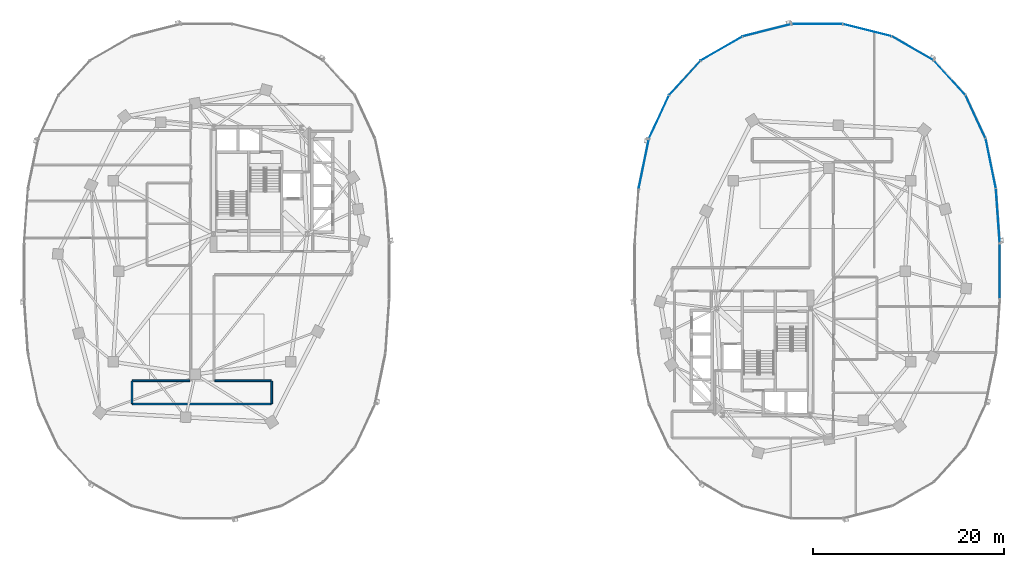
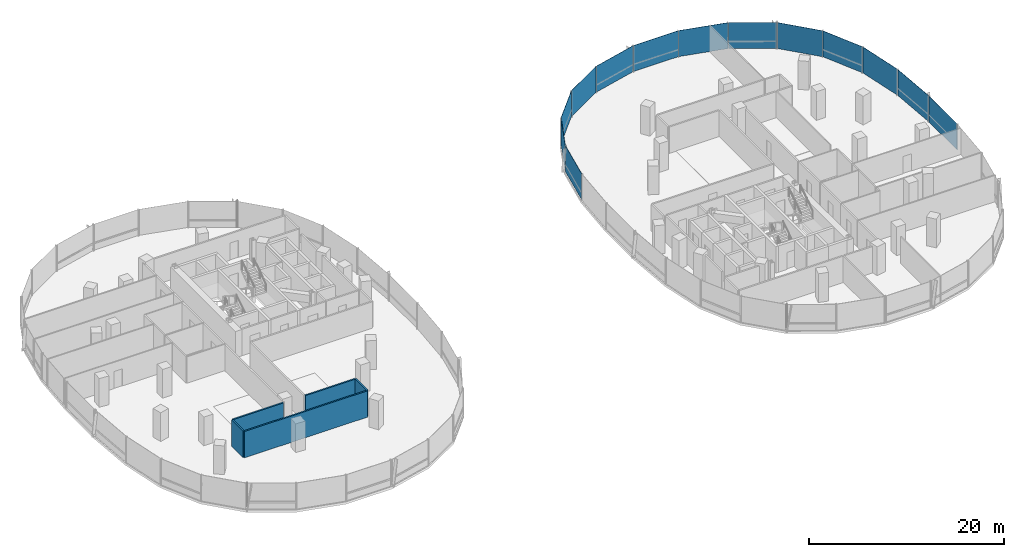
# One storey, part 10 of 21: 13 plates, 5 walls, 3 elements without a shape of their own.
"""IFC4 building model written with IfcOpenShell, lengths in metres."""

from ifc_helpers import new_model, si_unit, direction, frame, frame_2d, origin, origin_2d, place, context, subcontext, project, spatial, rectangle, extrude, material, layer, layer_set, type_object, element, aggregate, save


model = new_model("IFC4")

# Units and contexts
model_context = context("Model", 3, precision=1e-05, world=origin(), true_north=direction((0.0, 1.0)))
body_context = subcontext(model_context, "Body", "Model", "MODEL_VIEW")
ifc_project = project(units=[si_unit("LENGTHUNIT", "METRE"), si_unit("AREAUNIT", "SQUARE_METRE"), si_unit("VOLUMEUNIT", "CUBIC_METRE"), si_unit("PLANEANGLEUNIT", "RADIAN"), si_unit("MASSUNIT", "GRAM", prefix="KILO"), si_unit("THERMODYNAMICTEMPERATUREUNIT", "KELVIN"), si_unit("POWERUNIT", "WATT")], contexts=[model_context])

# Site, building, storey
site_placement = place(None, origin())
site = spatial("IfcSite", under=ifc_project, at=site_placement, CompositionType="ELEMENT")
building_placement = place(site_placement, origin())
building = spatial("IfcBuilding", under=site, at=building_placement, Name="Cundina Bronze Exchange", CompositionType="ELEMENT")
storey_placement = place(building_placement, frame((0.0, 0.0, 81.800048828125)))
storey = spatial("IfcBuildingStorey", under=building, at=storey_placement, Name="L20", CompositionType="ELEMENT", Elevation=81.800048828125)

# Curtain wall, plates
ifc_material_1 = material(Name="Anodised Bronze Aluminium 6063-T6", Category="aluminium")
curtain_wall_type = type_object("IfcCurtainWallType", Name="CWS-TRD-MID", PredefinedType="NOTDEFINED", material=ifc_material_1)
curtain_wall_1_placement = place(storey_placement, origin())
curtain_wall_1 = element("IfcCurtainWall", 1, at=curtain_wall_1_placement, inside=storey, type_object=curtain_wall_type, Name="L20 CW-03 Curtain Wall Run CWR-L20-E1", PredefinedType="NOTDEFINED")
ifc_material_2 = material(Name="Heat-Strengthened Solar-Control Bronze Safety Glass 28mm", Category="glass")
ifc_layer_1 = layer(ifc_material_2, 0.028076171875, Name="Heat-Strengthened Solar-Control Bronze Safety Glass 28mm", Category="glass")
ifc_layer_set_1 = layer_set([ifc_layer_1], Name="Heat-Strengthened Solar-Control Bronze Safety Glass 28mm")
plate_type_1 = type_object("IfcPlateType", Name="PLT-GLZ-VIS28", PredefinedType="CURTAIN_PANEL", material=ifc_layer_set_1)
plate_1_placement = place(storey_placement, frame((50.9267578125, 5.783935546875, 0.02001953125), z_axis=(0.0, 0.0, 1.0), x_axis=(-0.070278787473, 0.997527389113, 0.0)))
plate_1 = element("IfcPlate", 2, at=plate_1_placement, type_object=plate_type_1, Name="CW-03 Glazed Panel 1", PredefinedType="CURTAIN_PANEL", context=body_context, shape_type="SweptSolid", body=[
    extrude(rectangle(XDim=5.644287109375, YDim=0.028076171875, at=origin_2d()), origin(), (0.0, 0.0, 1.0), 3.260009765625),
])
plate_2_placement = place(storey_placement, frame((50.18408203125, 11.269775390625, 0.02001953125), z_axis=(0.0, 0.0, 1.0), x_axis=(-0.201419845156, 0.979505000486, 0.0)))
plate_2 = element("IfcPlate", 3, at=plate_2_placement, type_object=plate_type_1, Name="CW-03 Glazed Panel 2", PredefinedType="CURTAIN_PANEL", context=body_context, shape_type="SweptSolid", body=[
    extrude(rectangle(XDim=5.306640625, YDim=0.028076171875, at=origin_2d()), origin(), (0.0, 0.0, 1.0), 3.260009765625),
])
plate_3_placement = place(storey_placement, frame((48.586181640625, 16.177734375, 0.02001953125), z_axis=(0.0, 0.0, 1.0), x_axis=(-0.42084583328, 0.907132175932, 0.0)))
plate_3 = element("IfcPlate", 4, at=plate_3_placement, type_object=plate_type_1, Name="CW-03 Glazed Panel 3", PredefinedType="CURTAIN_PANEL", context=body_context, shape_type="SweptSolid", body=[
    extrude(rectangle(XDim=4.966552734375, YDim=0.028076171875, at=origin_2d()), origin(), (0.0, 0.0, 1.0), 3.260009765625),
])
plate_4_placement = place(storey_placement, frame((45.8740234375, 20.267333984375, 0.02001953125), z_axis=(0.0, 0.0, 1.0), x_axis=(-0.674276610219, 0.73847887777, 0.0)))
plate_4 = element("IfcPlate", 5, at=plate_4_placement, type_object=plate_type_1, Name="CW-03 Glazed Panel 4", PredefinedType="CURTAIN_PANEL", context=body_context, shape_type="SweptSolid", body=[
    extrude(rectangle(XDim=4.86328125, YDim=0.028076171875, at=origin_2d()), origin(), (0.0, 0.0, 1.0), 3.260009765625),
])
plate_5_placement = place(storey_placement, frame((37.255615234375, 25.256591796875, 0.02001953125), z_axis=(0.0, 0.0, 1.0), x_axis=(-0.969488149345, 0.245138182011, 0.0)))
plate_5 = element("IfcPlate", 6, at=plate_5_placement, type_object=plate_type_1, Name="CW-03 Glazed Panel 6", PredefinedType="CURTAIN_PANEL", context=body_context, shape_type="SweptSolid", body=[
    extrude(rectangle(XDim=5.2333984375, YDim=0.028076171875, at=origin_2d()), origin(), (0.0, 0.0, 1.0), 3.260009765625),
])
plate_6_placement = place(storey_placement, frame((32.0, 25.905029296875, 0.02001953125), z_axis=(0.0, 0.0, 1.0), x_axis=(-1.0, 0.0, 0.0)))
plate_6 = element("IfcPlate", 7, at=plate_6_placement, type_object=plate_type_1, Name="CW-03 Glazed Panel 7", PredefinedType="CURTAIN_PANEL", context=body_context, shape_type="SweptSolid", body=[
    extrude(rectangle(XDim=5.323974609375, YDim=0.028076171875, at=origin_2d()), origin(), (0.0, 0.0, 1.0), 3.260009765625),
])

curtain_wall_2_placement = place(storey_placement, origin())
curtain_wall_2 = element("IfcCurtainWall", 8, at=curtain_wall_2_placement, inside=storey, type_object=curtain_wall_type, Name="L20 CW-03 Curtain Wall Run CWR-L20-E2", PredefinedType="NOTDEFINED")
plate_7_placement = place(storey_placement, frame((26.744384765625, 25.256591796875, 0.02001953125), z_axis=(0.0, 0.0, 1.0), x_axis=(-0.969488149345, -0.245138182011, 0.0)))
plate_7 = element("IfcPlate", 9, at=plate_7_placement, type_object=plate_type_1, Name="CW-03 Glazed Panel 1", PredefinedType="CURTAIN_PANEL", context=body_context, shape_type="SweptSolid", body=[
    extrude(rectangle(XDim=5.2333984375, YDim=0.028076171875, at=origin_2d()), origin(), (0.0, 0.0, 1.0), 3.260009765625),
])
plate_8_placement = place(storey_placement, frame((21.980712890625, 23.34423828125, 0.02001953125), z_axis=(0.0, 0.0, 1.0), x_axis=(-0.867105478933, -0.498124571171, 0.0)))
plate_8 = element("IfcPlate", 10, at=plate_8_placement, type_object=plate_type_1, Name="CW-03 Glazed Panel 2", PredefinedType="CURTAIN_PANEL", context=body_context, shape_type="SweptSolid", body=[
    extrude(rectangle(XDim=5.021240234375, YDim=0.028076171875, at=origin_2d()), origin(), (0.0, 0.0, 1.0), 3.260009765625),
])
plate_9_placement = place(storey_placement, frame((18.1259765625, 20.267333984375, 0.02001953125), z_axis=(0.0, 0.0, 1.0), x_axis=(-0.674276610219, -0.73847887777, 0.0)))
plate_9 = element("IfcPlate", 11, at=plate_9_placement, type_object=plate_type_1, Name="CW-03 Glazed Panel 3", PredefinedType="CURTAIN_PANEL", context=body_context, shape_type="SweptSolid", body=[
    extrude(rectangle(XDim=4.86328125, YDim=0.028076171875, at=origin_2d()), origin(), (0.0, 0.0, 1.0), 3.260009765625),
])
plate_10_placement = place(storey_placement, frame((13.81591796875, 11.269775390625, 0.02001953125), z_axis=(0.0, 0.0, 1.0), x_axis=(-0.201419845156, -0.979505000486, 0.0)))
plate_10 = element("IfcPlate", 12, at=plate_10_placement, type_object=plate_type_1, Name="CW-03 Glazed Panel 5", PredefinedType="CURTAIN_PANEL", context=body_context, shape_type="SweptSolid", body=[
    extrude(rectangle(XDim=5.306640625, YDim=0.028076171875, at=origin_2d()), origin(), (0.0, 0.0, 1.0), 3.260009765625),
])

# Plate
ifc_material_3 = material(Name="Dark Bronze Spandrel Glass Panel 32mm", Category="glass")
ifc_layer_2 = layer(ifc_material_3, 0.031982421875, Name="Dark Bronze Spandrel Glass Panel 32mm", Category="glass")
ifc_layer_set_2 = layer_set([ifc_layer_2], Name="Dark Bronze Spandrel Glass Panel 32mm")
plate_type_2 = type_object("IfcPlateType", Name="PLT-SPN-BRZ32", PredefinedType="CURTAIN_PANEL", material=ifc_layer_set_2)
plate_11_placement = place(storey_placement, frame((42.019287109375, 23.34423828125, 0.02001953125), z_axis=(0.0, 0.0, 1.0), x_axis=(-0.867105478933, 0.498124571171, 0.0)))
plate_11 = element("IfcPlate", 13, at=plate_11_placement, type_object=plate_type_2, Name="CW-03 Glazed Panel 5", PredefinedType="CURTAIN_PANEL", context=body_context, shape_type="SweptSolid", body=[
    extrude(rectangle(XDim=5.021240234375, YDim=0.031982421875, at=origin_2d()), origin(), (0.0, 0.0, 1.0), 3.260009765625),
])

aggregate(curtain_wall_1, [plate_1, plate_2, plate_3, plate_4, plate_11, plate_5, plate_6])

plate_12_placement = place(storey_placement, frame((15.413818359375, 16.177734375, 0.02001953125), z_axis=(0.0, 0.0, 1.0), x_axis=(-0.42084583328, -0.907132175932, 0.0)))
plate_12 = element("IfcPlate", 14, at=plate_12_placement, type_object=plate_type_2, Name="CW-03 Glazed Panel 4", PredefinedType="CURTAIN_PANEL", context=body_context, shape_type="SweptSolid", body=[
    extrude(rectangle(XDim=4.966552734375, YDim=0.031982421875, at=origin_2d()), origin(), (0.0, 0.0, 1.0), 3.260009765625),
])

aggregate(curtain_wall_2, [plate_7, plate_8, plate_9, plate_12, plate_10])

# Curtain wall, plate
curtain_wall_3_placement = place(storey_placement, origin())
curtain_wall_3 = element("IfcCurtainWall", 15, at=curtain_wall_3_placement, inside=storey, type_object=curtain_wall_type, Name="L20 CW-03 Curtain Wall Run CWR-L20-E4", PredefinedType="NOTDEFINED")
plate_13_placement = place(storey_placement, frame((51.1279296875, 0.0, 0.02001953125), z_axis=(0.0, 0.0, 1.0), x_axis=(0.0, 1.0, 0.0)))
plate_13 = element("IfcPlate", 16, at=plate_13_placement, type_object=plate_type_2, Name="CW-03 Glazed Panel 7", PredefinedType="CURTAIN_PANEL", context=body_context, shape_type="SweptSolid", body=[
    extrude(rectangle(XDim=5.77587890625, YDim=0.031982421875, at=origin_2d()), origin(), (0.0, 0.0, 1.0), 3.260009765625),
])
aggregate(curtain_wall_3, [plate_13])

# Walls
ifc_material_4 = material(Name="Gypsum Fireboard Partition EI120")
ifc_layer_3 = layer(ifc_material_4, 0.179931640625, Name="Gypsum Fireboard Partition EI120")
ifc_layer_set_3 = layer_set([ifc_layer_3], Name="Gypsum Fireboard Partition EI120")
wall_type = type_object("IfcWallType", Name="WL-COR-180", PredefinedType="PARTITIONING", material=ifc_layer_set_3)
wall_1_placement = place(storey_placement, frame((-39.778564453125, -13.919921875, 0.0), z_axis=(0.0, 0.0, 1.0), x_axis=(1.0, 0.0, 0.0)))
element("IfcWall", 17, at=wall_1_placement, inside=storey, type_object=wall_type, Name="L20 Interior Partition 019", PredefinedType="PARTITIONING", context=body_context, shape_type="SweptSolid", body=[
    extrude(rectangle(XDim=14.55712890625, YDim=0.179931640625, at=frame_2d((7.278564453125, 0.0))), origin(), (0.0, 0.0, 1.0), 3.300048828125),
])
wall_2_placement = place(storey_placement, frame((-33.75, -11.47998046875, 0.0), z_axis=(0.0, 0.0, 1.0), x_axis=(-1.0, 0.0, 0.0)))
element("IfcWall", 18, at=wall_2_placement, inside=storey, type_object=wall_type, Name="L20 Interior Partition 023", PredefinedType="PARTITIONING", context=body_context, shape_type="SweptSolid", body=[
    extrude(rectangle(XDim=6.028564453125, YDim=0.179931640625, at=frame_2d((3.01416015625, 0.0))), origin(), (0.0, 0.0, 1.0), 3.300048828125),
])
wall_3_placement = place(storey_placement, frame((-25.221435546875, -11.47998046875, 0.0), z_axis=(0.0, 0.0, 1.0), x_axis=(-1.0, 0.0, 0.0)))
element("IfcWall", 19, at=wall_3_placement, inside=storey, type_object=wall_type, Name="L20 Interior Partition 024", PredefinedType="PARTITIONING", context=body_context, shape_type="SweptSolid", body=[
    extrude(rectangle(XDim=5.928466796875, YDim=0.179931640625, at=frame_2d((2.96435546875, 0.0))), origin(), (0.0, 0.0, 1.0), 3.300048828125),
])
for number, where, z_axis, x_axis, name in (
    (20, (-39.820068359375, -11.521484375, 0.0), (0.0, 0.0, 1.0), (0.0, -1.0, 0.0), "L20 Interior Partition 029"),
    (21, (-25.179931640625, -13.87841796875, 0.0), (0.0, 0.0, 1.0), (0.0, 1.0, 0.0), "L20 Interior Partition 030"),
):
    element("IfcWall", number, at=place(storey_placement, frame(where, z_axis=z_axis, x_axis=x_axis)), inside=storey, type_object=wall_type, Name=name, PredefinedType="PARTITIONING", context=body_context, shape_type="SweptSolid", body=[
        extrude(rectangle(XDim=2.35693359375, YDim=0.179931640625, at=frame_2d((1.178466796875, 0.0))), origin(), (0.0, 0.0, 1.0), 3.300048828125),
    ])

save(model, "model.ifc")
